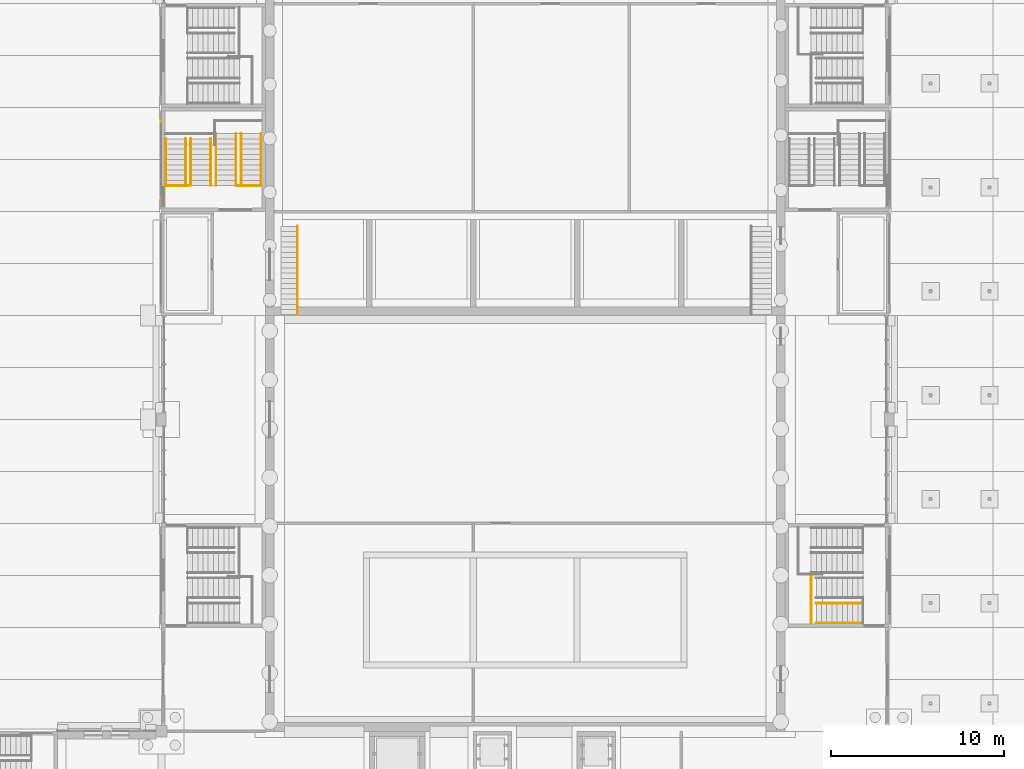
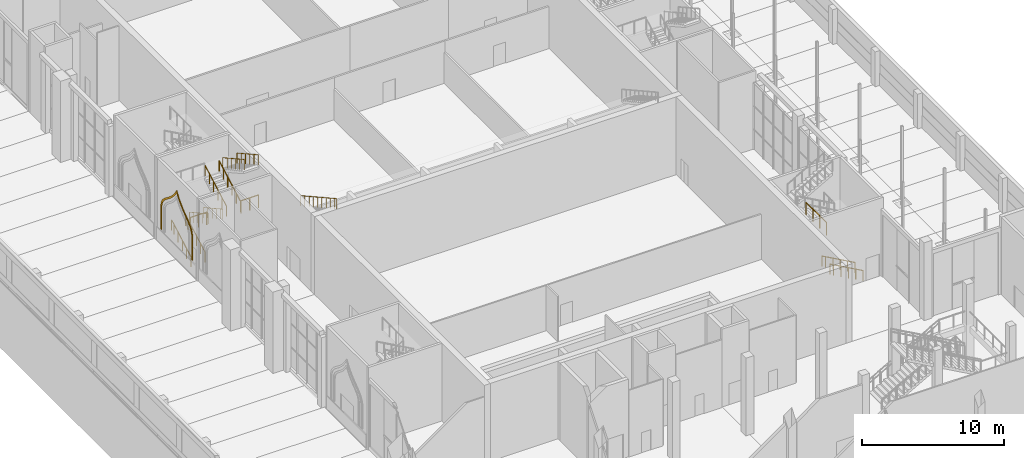
# One storey, part 68 of 95: 14 railings, 1 covering.
"""IFC4 building model written with IfcOpenShell, lengths in metres."""

from ifc_helpers import new_model, si_unit, direction, frame, origin, origin_2d, place, context, subcontext, project, spatial, polyline, circle, outline, extrude, material, layer, layer_set, type_object, element, save


model = new_model("IFC4")

# Units and contexts
model_context = context("Model", 3, precision=1e-05, world=origin(), true_north=direction((0.0, 1.0)))
body_context = subcontext(model_context, "Body", "Model", "MODEL_VIEW")
ifc_project = project(units=[si_unit("LENGTHUNIT", "METRE"), si_unit("AREAUNIT", "SQUARE_METRE"), si_unit("VOLUMEUNIT", "CUBIC_METRE"), si_unit("PLANEANGLEUNIT", "RADIAN"), si_unit("MASSUNIT", "GRAM", prefix="KILO")], contexts=[model_context])

# Site, building, storey
site_placement = place(None, origin())
site = spatial("IfcSite", under=ifc_project, at=site_placement, CompositionType="ELEMENT")
building_placement = place(site_placement, origin())
building = spatial("IfcBuilding", under=site, at=building_placement, Name="Saffron Lane Theatres", CompositionType="ELEMENT")
storey_placement = place(building_placement, origin())
storey = spatial("IfcBuildingStorey", under=building, at=storey_placement, Name="L00", CompositionType="ELEMENT", Elevation=0.0)

# Covering
ifc_material_1 = material(Name="Masonry sandstone", Category="masonry")
ifc_layer = layer(ifc_material_1, 0.050048828125)
ifc_layer_set = layer_set([ifc_layer], Name="Masonry sandstone")
covering_type = type_object("IfcCoveringType", Name="EX-ARCH FRAME RING SANDSTONE 50", PredefinedType="CLADDING", material=ifc_layer_set)
covering_placement = place(storey_placement, frame((12.0, 60.763916015625, 3.34912109375), z_axis=(1.0, 0.0, 0.0), x_axis=(0.0, -0.063067105822, -0.998009288616)))
element("IfcCovering", 1, at=covering_placement, inside=storey, type_object=covering_type, Name="Arch recess ring L00", PredefinedType="CLADDING", context=body_context, shape_type="SweptSolid", body=[
    extrude(outline(polyline([(0.0, 0.0), (0.22065410238359984, 0.0), (2.095819992321758, 0.11849717929764414), (2.08699737229349, 0.2581112716747965), (0.21572995613898713, 0.13986044825926805), (0.01120324984086172, 0.1401457024385599), (-0.16661464303161863, 0.166826152522514), (-0.32408683559152085, 0.21607490839936183), (-0.46710723024222456, 0.28825340008036515), (-0.6001051004476012, 0.3799015700062919), (-0.7281663985634338, 0.4902087668589081), (-0.8536968762192425, 0.6185337089889348), (-0.9827851974313513, 0.7605775943042785), (-1.1168470981407341, 0.9155170755147107), (-1.261591713839184, 1.080789727293752), (-1.418829706234838, 1.2540794801970379), (-1.5953961004210881, 1.4312849950160573), (-1.7941531627651468, 1.6112468863933098), (-2.017809187207904, 1.7903692228565102), (-2.272363155580528, 1.966805145670982), (-2.4713360494485013, 2.0843733579964816), (-2.288745821741221, 2.2260536522840537), (-2.0584271132717276, 2.4331300879366635), (-1.859098732187894, 2.6389820376094155), (-1.684576929746966, 2.8425325046992453), (-1.5317222892143505, 3.04055509155704), (-1.3975493662817773, 3.232259946648473), (-1.2747612185768877, 3.414438770837703), (-1.1612700340241646, 3.5850218505624816), (-1.0510895267644345, 3.7421858281426754), (-0.9427115774009303, 3.8852921231996427), (-0.8295548101530967, 4.010842590258168), (-0.7091518844208844, 4.118503892521613), (-0.5763552588779816, 4.208112062862301), (-0.42633533175207877, 4.2767921389410235), (-0.2532905840955898, 4.325644618415389), (-0.050426780001745275, 4.35167406227577), (1.8208406361527578, 4.469924885691299), (1.8120180161244899, 4.609538978068451), (-0.06314787381366846, 4.491041798770807), (-0.28204669053719406, 4.463265173062264), (-0.4748093632101681, 4.409007991296921), (-0.6452138889458251, 4.329988531727125), (-0.7951660141787333, 4.229266523603667), (-0.9280950019828605, 4.110783931167464), (-1.0496511001501079, 3.9749175816724094), (-1.1644664475692028, 3.825288798534778), (-1.2765780932074908, 3.6638441173757603), (-1.3909823072355991, 3.4922248302345396), (-1.5116545496503437, 3.3114028542863916), (-1.6450992100191186, 3.1236580619491425), (-1.7933887031748097, 2.9308165121735614), (-1.9622040713945823, 2.7337423414364994), (-2.1560542756261065, 2.5341076362624033), (-2.3787173129826167, 2.333630674903618), (-2.718645480099129, 2.068745156724768), (-2.3480768001444785, 1.8487579980615008), (-2.101948365016449, 1.6779053315271268), (-1.8845095850723483, 1.5042611719162358), (-1.6922288190810568, 1.330005714760139), (-1.5208434619770204, 1.1573653473180439), (-1.3648264439093958, 0.987912479227884), (-1.2223517059274132, 0.8237195253225451), (-1.0872535978015876, 0.667867014636728), (-0.9557106319614249, 0.5218195761099406), (-0.8229728941184138, 0.38783439148665516), (-0.6852804856725893, 0.26835070815229334), (-0.5384939794994548, 0.16754415025789063), (-0.37705551126290276, 0.08649981821842358), (-0.19805932413846122, 0.029560004583244877), (0.0, 0.0)])), origin(), (0.0, 0.0, -1.0), 0.050048828125),
])

# Railings
ifc_material_2 = material(Name="Steel Grade 350", Category="steel")
railing_type_1 = type_object("IfcRailingType", Name="VC-GUARD 1100", PredefinedType="GUARDRAIL", material=ifc_material_2)
railing_1_placement = place(storey_placement, frame((12.22998046875, 61.5, 3.333251953125)))
element("IfcRailing", 2, at=railing_1_placement, inside=storey, type_object=railing_type_1, Name="Auditorium West Front Stair landing guard 1S2w", PredefinedType="GUARDRAIL", context=body_context, shape_type="SweptSolid", body=[
    extrude(circle(Radius=0.02392578125, at=origin_2d()), frame((0.0, 0.0, 1.076171875), z_axis=(1.0, 0.0, 0.0), x_axis=(0.0, 1.0, 0.0)), (0.0, 0.0, 1.0), 1.320068359375),
    extrude(circle(Radius=0.02099609375, at=origin_2d()), origin(), (0.0, 0.0, 1.0), 1.052001953125),
    extrude(circle(Radius=0.02099609375, at=origin_2d()), frame((0.66015625, 0.0, 0.0)), (0.0, 0.0, 1.0), 1.052001953125),
    extrude(circle(Radius=0.02099609375, at=origin_2d()), frame((1.320068359375, 0.0, 0.0)), (0.0, 0.0, 1.0), 1.052001953125),
])
railing_2_placement = place(storey_placement, frame((16.35009765625, 61.5, 3.333251953125)))
element("IfcRailing", 3, at=railing_2_placement, inside=storey, type_object=railing_type_1, Name="Auditorium West Front Stair landing guard 1S2e", PredefinedType="GUARDRAIL", context=body_context, shape_type="SweptSolid", body=[
    extrude(circle(Radius=0.02392578125, at=origin_2d()), frame((0.0, 0.0, 1.076171875), z_axis=(1.0, 0.0, 0.0), x_axis=(0.0, 1.0, 0.0)), (0.0, 0.0, 1.0), 1.419921875),
    extrude(circle(Radius=0.02099609375, at=origin_2d()), origin(), (0.0, 0.0, 1.0), 1.052001953125),
    extrude(circle(Radius=0.02099609375, at=origin_2d()), frame((0.7099609375, 0.0, 0.0)), (0.0, 0.0, 1.0), 1.052001953125),
    extrude(circle(Radius=0.02099609375, at=origin_2d()), frame((1.419921875, 0.0, 0.0)), (0.0, 0.0, 1.0), 1.052001953125),
])
railing_3_placement = place(storey_placement, frame((49.5, 36.22998046875, 5.166748046875)))
element("IfcRailing", 4, at=railing_3_placement, inside=storey, type_object=railing_type_1, Name="Stage East Stair landing guard 1N2s", PredefinedType="GUARDRAIL", context=body_context, shape_type="SweptSolid", body=[
    extrude(circle(Radius=0.02392578125, at=origin_2d()), frame((0.0, 0.0, 1.076171875), z_axis=(0.0, 1.0, 0.0), x_axis=(-1.0, 0.0, 0.0)), (0.0, 0.0, 1.0), 2.8701171875),
    extrude(circle(Radius=0.02099609375, at=origin_2d()), origin(), (0.0, 0.0, 1.0), 1.052001953125),
    extrude(circle(Radius=0.02099609375, at=origin_2d()), frame((0.0, 0.956787109375, 0.0)), (0.0, 0.0, 1.0), 1.052001953125),
    extrude(circle(Radius=0.02099609375, at=origin_2d()), frame((0.0, 1.913330078125, 0.0)), (0.0, 0.0, 1.0), 1.052001953125),
    extrude(circle(Radius=0.02099609375, at=origin_2d()), frame((0.0, 2.8701171875, 0.0)), (0.0, 0.0, 1.0), 1.052001953125),
])
ifc_material_3 = material(Name="Steel Grade 350", Category="steel")
railing_type_2 = type_object("IfcRailingType", Name="VC-HANDRAIL 900", PredefinedType="HANDRAIL", material=ifc_material_3)
railing_4_placement = place(storey_placement, frame((12.25, 61.5, 0.166748046875)))
element("IfcRailing", 5, at=railing_4_placement, inside=storey, type_object=railing_type_2, Name="Auditorium West Front Stair handrail 1.1a", PredefinedType="HANDRAIL", context=body_context, shape_type="SweptSolid", body=[
    extrude(circle(Radius=0.02392578125, at=origin_2d()), frame((0.0, 0.0, 0.8759765625), z_axis=(0.0, 0.874241147926, 0.485491931212), x_axis=(-1.0, 0.0, 0.0)), (0.0, 0.0, 1.0), 0.6865234375),
    extrude(circle(Radius=0.02392578125, at=origin_2d()), frame((0.0, 0.60009765625, 1.208984375), z_axis=(0.0, 0.874157276122, 0.485642931179), x_axis=(-1.0, 0.0, 0.0)), (0.0, 0.0, 1.0), 0.686279296875),
    extrude(circle(Radius=0.02392578125, at=origin_2d()), frame((0.0, 1.199951171875, 1.54248046875), z_axis=(0.0, 0.874090171491, 0.485763699861), x_axis=(-1.0, 0.0, 0.0)), (0.0, 0.0, 1.0), 0.6865234375),
    extrude(circle(Radius=0.02392578125, at=origin_2d()), frame((0.0, 1.800048828125, 1.8759765625), z_axis=(0.0, 0.874157276122, 0.485642931179), x_axis=(-1.0, 0.0, 0.0)), (0.0, 0.0, 1.0), 0.686279296875),
    extrude(circle(Radius=0.02392578125, at=origin_2d()), frame((0.0, 2.39990234375, 2.208984375), z_axis=(0.0, 0.874090171491, 0.485763699861), x_axis=(-1.0, 0.0, 0.0)), (0.0, 0.0, 1.0), 0.34326171875),
    extrude(circle(Radius=0.02099609375, at=origin_2d()), origin(), (0.0, 0.0, 1.0), 0.851806640625),
    extrude(circle(Radius=0.02099609375, at=origin_2d()), frame((0.0, 0.60009765625, 0.333251953125)), (0.0, 0.0, 1.0), 0.851806640625),
    extrude(circle(Radius=0.02099609375, at=origin_2d()), frame((0.0, 1.199951171875, 0.66650390625)), (0.0, 0.0, 1.0), 0.851806640625),
    extrude(circle(Radius=0.02099609375, at=origin_2d()), frame((0.0, 1.800048828125, 1.0)), (0.0, 0.0, 1.0), 0.851806640625),
    extrude(circle(Radius=0.02099609375, at=origin_2d()), frame((0.0, 2.39990234375, 1.333251953125)), (0.0, 0.0, 1.0), 0.851806640625),
    extrude(circle(Radius=0.02099609375, at=origin_2d()), frame((0.0, 2.699951171875, 1.5)), (0.0, 0.0, 1.0), 0.851806640625),
])
railing_5_placement = place(storey_placement, frame((13.39990234375, 61.5, 0.166748046875)))
element("IfcRailing", 6, at=railing_5_placement, inside=storey, type_object=railing_type_2, Name="Auditorium West Front Stair handrail 1.1b", PredefinedType="HANDRAIL", context=body_context, shape_type="SweptSolid", body=[
    extrude(circle(Radius=0.02392578125, at=origin_2d()), frame((0.0, 0.0, 0.8759765625), z_axis=(0.0, 0.874241147926, 0.485491931212), x_axis=(-1.0, 0.0, 0.0)), (0.0, 0.0, 1.0), 0.6865234375),
    extrude(circle(Radius=0.02392578125, at=origin_2d()), frame((0.0, 0.60009765625, 1.208984375), z_axis=(0.0, 0.874157276122, 0.485642931179), x_axis=(-1.0, 0.0, 0.0)), (0.0, 0.0, 1.0), 0.686279296875),
    extrude(circle(Radius=0.02392578125, at=origin_2d()), frame((0.0, 1.199951171875, 1.54248046875), z_axis=(0.0, 0.874090171491, 0.485763699861), x_axis=(-1.0, 0.0, 0.0)), (0.0, 0.0, 1.0), 0.6865234375),
    extrude(circle(Radius=0.02392578125, at=origin_2d()), frame((0.0, 1.800048828125, 1.8759765625), z_axis=(0.0, 0.874157276122, 0.485642931179), x_axis=(-1.0, 0.0, 0.0)), (0.0, 0.0, 1.0), 0.686279296875),
    extrude(circle(Radius=0.02392578125, at=origin_2d()), frame((0.0, 2.39990234375, 2.208984375), z_axis=(0.0, 0.874090171491, 0.485763699861), x_axis=(-1.0, 0.0, 0.0)), (0.0, 0.0, 1.0), 0.34326171875),
    extrude(circle(Radius=0.02099609375, at=origin_2d()), origin(), (0.0, 0.0, 1.0), 0.851806640625),
    extrude(circle(Radius=0.02099609375, at=origin_2d()), frame((0.0, 0.60009765625, 0.333251953125)), (0.0, 0.0, 1.0), 0.851806640625),
    extrude(circle(Radius=0.02099609375, at=origin_2d()), frame((0.0, 1.199951171875, 0.66650390625)), (0.0, 0.0, 1.0), 0.851806640625),
    extrude(circle(Radius=0.02099609375, at=origin_2d()), frame((0.0, 1.800048828125, 1.0)), (0.0, 0.0, 1.0), 0.851806640625),
    extrude(circle(Radius=0.02099609375, at=origin_2d()), frame((0.0, 2.39990234375, 1.333251953125)), (0.0, 0.0, 1.0), 0.851806640625),
    extrude(circle(Radius=0.02099609375, at=origin_2d()), frame((0.0, 2.699951171875, 1.5)), (0.0, 0.0, 1.0), 0.851806640625),
])
railing_6_placement = place(storey_placement, frame((13.699951171875, 64.199951171875, 1.833251953125)))
element("IfcRailing", 7, at=railing_6_placement, inside=storey, type_object=railing_type_2, Name="Auditorium West Front Stair handrail 1.2a", PredefinedType="HANDRAIL", context=body_context, shape_type="SweptSolid", body=[
    extrude(circle(Radius=0.02392578125, at=origin_2d()), frame((0.0, 0.0, 0.8759765625), z_axis=(0.0, -0.874006220275, 0.485914732151), x_axis=(1.0, 0.0, 0.0)), (0.0, 0.0, 1.0), 0.686279296875),
    extrude(circle(Radius=0.02392578125, at=origin_2d()), frame((0.0, -0.599853515625, 1.20947265625), z_axis=(0.0, -0.874241147926, 0.485491931212), x_axis=(1.0, 0.0, 0.0)), (0.0, 0.0, 1.0), 0.6865234375),
    extrude(circle(Radius=0.02392578125, at=origin_2d()), frame((0.0, -1.199951171875, 1.54248046875), z_axis=(0.0, -0.874241147926, 0.485491931212), x_axis=(1.0, 0.0, 0.0)), (0.0, 0.0, 1.0), 0.6865234375),
    extrude(circle(Radius=0.02392578125, at=origin_2d()), frame((0.0, -1.800048828125, 1.8759765625), z_axis=(0.0, -0.874006220275, 0.485914732151), x_axis=(1.0, 0.0, 0.0)), (0.0, 0.0, 1.0), 0.686279296875),
    extrude(circle(Radius=0.02392578125, at=origin_2d()), frame((0.0, -2.39990234375, 2.20947265625), z_axis=(0.0, -0.87439209197, 0.485220021744), x_axis=(1.0, 0.0, 0.0)), (0.0, 0.0, 1.0), 0.34326171875),
    extrude(circle(Radius=0.02099609375, at=origin_2d()), origin(), (0.0, 0.0, 1.0), 0.851806640625),
    extrude(circle(Radius=0.02099609375, at=origin_2d()), frame((0.0, -0.599853515625, 0.33349609375)), (0.0, 0.0, 1.0), 0.851806640625),
    extrude(circle(Radius=0.02099609375, at=origin_2d()), frame((0.0, -1.199951171875, 0.666748046875)), (0.0, 0.0, 1.0), 0.851806640625),
    extrude(circle(Radius=0.02099609375, at=origin_2d()), frame((0.0, -1.800048828125, 1.0)), (0.0, 0.0, 1.0), 0.851806640625),
    extrude(circle(Radius=0.02099609375, at=origin_2d()), frame((0.0, -2.39990234375, 1.33349609375)), (0.0, 0.0, 1.0), 0.851806640625),
    extrude(circle(Radius=0.02099609375, at=origin_2d()), frame((0.0, -2.699951171875, 1.5)), (0.0, 0.0, 1.0), 0.851806640625),
])
railing_7_placement = place(storey_placement, frame((14.85009765625, 64.199951171875, 1.833251953125)))
element("IfcRailing", 8, at=railing_7_placement, inside=storey, type_object=railing_type_2, Name="Auditorium West Front Stair handrail 1.2b", PredefinedType="HANDRAIL", context=body_context, shape_type="SweptSolid", body=[
    extrude(circle(Radius=0.02392578125, at=origin_2d()), frame((0.0, 0.0, 0.8759765625), z_axis=(0.0, -0.874006220275, 0.485914732151), x_axis=(1.0, 0.0, 0.0)), (0.0, 0.0, 1.0), 0.686279296875),
    extrude(circle(Radius=0.02392578125, at=origin_2d()), frame((0.0, -0.599853515625, 1.20947265625), z_axis=(0.0, -0.874241147926, 0.485491931212), x_axis=(1.0, 0.0, 0.0)), (0.0, 0.0, 1.0), 0.6865234375),
    extrude(circle(Radius=0.02392578125, at=origin_2d()), frame((0.0, -1.199951171875, 1.54248046875), z_axis=(0.0, -0.874241147926, 0.485491931212), x_axis=(1.0, 0.0, 0.0)), (0.0, 0.0, 1.0), 0.6865234375),
    extrude(circle(Radius=0.02392578125, at=origin_2d()), frame((0.0, -1.800048828125, 1.8759765625), z_axis=(0.0, -0.874006220275, 0.485914732151), x_axis=(1.0, 0.0, 0.0)), (0.0, 0.0, 1.0), 0.686279296875),
    extrude(circle(Radius=0.02392578125, at=origin_2d()), frame((0.0, -2.39990234375, 2.20947265625), z_axis=(0.0, -0.87439209197, 0.485220021744), x_axis=(1.0, 0.0, 0.0)), (0.0, 0.0, 1.0), 0.34326171875),
    extrude(circle(Radius=0.02099609375, at=origin_2d()), origin(), (0.0, 0.0, 1.0), 0.851806640625),
    extrude(circle(Radius=0.02099609375, at=origin_2d()), frame((0.0, -0.599853515625, 0.33349609375)), (0.0, 0.0, 1.0), 0.851806640625),
    extrude(circle(Radius=0.02099609375, at=origin_2d()), frame((0.0, -1.199951171875, 0.666748046875)), (0.0, 0.0, 1.0), 0.851806640625),
    extrude(circle(Radius=0.02099609375, at=origin_2d()), frame((0.0, -1.800048828125, 1.0)), (0.0, 0.0, 1.0), 0.851806640625),
    extrude(circle(Radius=0.02099609375, at=origin_2d()), frame((0.0, -2.39990234375, 1.33349609375)), (0.0, 0.0, 1.0), 0.851806640625),
    extrude(circle(Radius=0.02099609375, at=origin_2d()), frame((0.0, -2.699951171875, 1.5)), (0.0, 0.0, 1.0), 0.851806640625),
])
railing_8_placement = place(storey_placement, frame((15.14990234375, 61.5, 3.5)))
element("IfcRailing", 9, at=railing_8_placement, inside=storey, type_object=railing_type_2, Name="Auditorium West Front Stair handrail 1.3a", PredefinedType="HANDRAIL", context=body_context, shape_type="SweptSolid", body=[
    extrude(circle(Radius=0.02392578125, at=origin_2d()), frame((0.0, 0.0, 0.8759765625), z_axis=(0.0, 0.874241147926, 0.485491931212), x_axis=(-1.0, 0.0, 0.0)), (0.0, 0.0, 1.0), 0.6865234375),
    extrude(circle(Radius=0.02392578125, at=origin_2d()), frame((0.0, 0.60009765625, 1.208984375), z_axis=(0.0, 0.874006220275, 0.485914732151), x_axis=(-1.0, 0.0, 0.0)), (0.0, 0.0, 1.0), 0.686279296875),
    extrude(circle(Radius=0.02392578125, at=origin_2d()), frame((0.0, 1.199951171875, 1.54248046875), z_axis=(0.0, 0.874241147926, 0.485491931212), x_axis=(-1.0, 0.0, 0.0)), (0.0, 0.0, 1.0), 0.6865234375),
    extrude(circle(Radius=0.02392578125, at=origin_2d()), frame((0.0, 1.800048828125, 1.8759765625), z_axis=(0.0, 0.874157276122, 0.485642931179), x_axis=(-1.0, 0.0, 0.0)), (0.0, 0.0, 1.0), 0.686279296875),
    extrude(circle(Radius=0.02392578125, at=origin_2d()), frame((0.0, 2.39990234375, 2.208984375), z_axis=(0.0, 0.874090171491, 0.485763699861), x_axis=(-1.0, 0.0, 0.0)), (0.0, 0.0, 1.0), 0.6865234375),
    extrude(circle(Radius=0.02099609375, at=origin_2d()), origin(), (0.0, 0.0, 1.0), 0.851806640625),
    extrude(circle(Radius=0.02099609375, at=origin_2d()), frame((0.0, 0.60009765625, 0.333251953125)), (0.0, 0.0, 1.0), 0.851806640625),
    extrude(circle(Radius=0.02099609375, at=origin_2d()), frame((0.0, 1.199951171875, 0.666748046875)), (0.0, 0.0, 1.0), 0.851806640625),
    extrude(circle(Radius=0.02099609375, at=origin_2d()), frame((0.0, 1.800048828125, 1.0)), (0.0, 0.0, 1.0), 0.851806640625),
    extrude(circle(Radius=0.02099609375, at=origin_2d()), frame((0.0, 2.39990234375, 1.333251953125)), (0.0, 0.0, 1.0), 0.851806640625),
    extrude(circle(Radius=0.02099609375, at=origin_2d()), frame((0.0, 3.0, 1.666748046875)), (0.0, 0.0, 1.0), 0.851806640625),
])
railing_9_placement = place(storey_placement, frame((16.300048828125, 61.5, 3.5)))
element("IfcRailing", 10, at=railing_9_placement, inside=storey, type_object=railing_type_2, Name="Auditorium West Front Stair handrail 1.3b", PredefinedType="HANDRAIL", context=body_context, shape_type="SweptSolid", body=[
    extrude(circle(Radius=0.02392578125, at=origin_2d()), frame((0.0, 0.0, 0.8759765625), z_axis=(0.0, 0.874241147926, 0.485491931212), x_axis=(-1.0, 0.0, 0.0)), (0.0, 0.0, 1.0), 0.6865234375),
    extrude(circle(Radius=0.02392578125, at=origin_2d()), frame((0.0, 0.60009765625, 1.208984375), z_axis=(0.0, 0.874006220275, 0.485914732151), x_axis=(-1.0, 0.0, 0.0)), (0.0, 0.0, 1.0), 0.686279296875),
    extrude(circle(Radius=0.02392578125, at=origin_2d()), frame((0.0, 1.199951171875, 1.54248046875), z_axis=(0.0, 0.874241147926, 0.485491931212), x_axis=(-1.0, 0.0, 0.0)), (0.0, 0.0, 1.0), 0.6865234375),
    extrude(circle(Radius=0.02392578125, at=origin_2d()), frame((0.0, 1.800048828125, 1.8759765625), z_axis=(0.0, 0.874157276122, 0.485642931179), x_axis=(-1.0, 0.0, 0.0)), (0.0, 0.0, 1.0), 0.686279296875),
    extrude(circle(Radius=0.02392578125, at=origin_2d()), frame((0.0, 2.39990234375, 2.208984375), z_axis=(0.0, 0.874090171491, 0.485763699861), x_axis=(-1.0, 0.0, 0.0)), (0.0, 0.0, 1.0), 0.6865234375),
    extrude(circle(Radius=0.02099609375, at=origin_2d()), origin(), (0.0, 0.0, 1.0), 0.851806640625),
    extrude(circle(Radius=0.02099609375, at=origin_2d()), frame((0.0, 0.60009765625, 0.333251953125)), (0.0, 0.0, 1.0), 0.851806640625),
    extrude(circle(Radius=0.02099609375, at=origin_2d()), frame((0.0, 1.199951171875, 0.666748046875)), (0.0, 0.0, 1.0), 0.851806640625),
    extrude(circle(Radius=0.02099609375, at=origin_2d()), frame((0.0, 1.800048828125, 1.0)), (0.0, 0.0, 1.0), 0.851806640625),
    extrude(circle(Radius=0.02099609375, at=origin_2d()), frame((0.0, 2.39990234375, 1.333251953125)), (0.0, 0.0, 1.0), 0.851806640625),
    extrude(circle(Radius=0.02099609375, at=origin_2d()), frame((0.0, 3.0, 1.666748046875)), (0.0, 0.0, 1.0), 0.851806640625),
])
railing_10_placement = place(storey_placement, frame((16.60009765625, 64.5, 5.333251953125)))
element("IfcRailing", 11, at=railing_10_placement, inside=storey, type_object=railing_type_2, Name="Auditorium West Front Stair handrail 1.4a", PredefinedType="HANDRAIL", context=body_context, shape_type="SweptSolid", body=[
    extrude(circle(Radius=0.02392578125, at=origin_2d()), frame((0.0, 0.0, 0.8759765625), z_axis=(0.0, -0.874090171491, 0.485763699861), x_axis=(1.0, 0.0, 0.0)), (0.0, 0.0, 1.0), 0.6865234375),
    extrude(circle(Radius=0.02392578125, at=origin_2d()), frame((0.0, -0.60009765625, 1.20947265625), z_axis=(0.0, -0.874157276122, 0.485642931179), x_axis=(1.0, 0.0, 0.0)), (0.0, 0.0, 1.0), 0.686279296875),
    extrude(circle(Radius=0.02392578125, at=origin_2d()), frame((0.0, -1.199951171875, 1.54248046875), z_axis=(0.0, -0.874241147926, 0.485491931212), x_axis=(1.0, 0.0, 0.0)), (0.0, 0.0, 1.0), 0.6865234375),
    extrude(circle(Radius=0.02392578125, at=origin_2d()), frame((0.0, -1.800048828125, 1.8759765625), z_axis=(0.0, -0.874006220275, 0.485914732151), x_axis=(1.0, 0.0, 0.0)), (0.0, 0.0, 1.0), 0.686279296875),
    extrude(circle(Radius=0.02392578125, at=origin_2d()), frame((0.0, -2.39990234375, 2.20947265625), z_axis=(0.0, -0.874241147926, 0.485491931212), x_axis=(1.0, 0.0, 0.0)), (0.0, 0.0, 1.0), 0.6865234375),
    extrude(circle(Radius=0.02099609375, at=origin_2d()), origin(), (0.0, 0.0, 1.0), 0.851806640625),
    extrude(circle(Radius=0.02099609375, at=origin_2d()), frame((0.0, -0.60009765625, 0.33349609375)), (0.0, 0.0, 1.0), 0.851806640625),
    extrude(circle(Radius=0.02099609375, at=origin_2d()), frame((0.0, -1.199951171875, 0.666748046875)), (0.0, 0.0, 1.0), 0.851806640625),
    extrude(circle(Radius=0.02099609375, at=origin_2d()), frame((0.0, -1.800048828125, 1.0)), (0.0, 0.0, 1.0), 0.851806640625),
    extrude(circle(Radius=0.02099609375, at=origin_2d()), frame((0.0, -2.39990234375, 1.33349609375)), (0.0, 0.0, 1.0), 0.851806640625),
    extrude(circle(Radius=0.02099609375, at=origin_2d()), frame((0.0, -3.0, 1.666748046875)), (0.0, 0.0, 1.0), 0.851806640625),
])
railing_11_placement = place(storey_placement, frame((17.75, 64.5, 5.333251953125)))
element("IfcRailing", 12, at=railing_11_placement, inside=storey, type_object=railing_type_2, Name="Auditorium West Front Stair handrail 1.4b", PredefinedType="HANDRAIL", context=body_context, shape_type="SweptSolid", body=[
    extrude(circle(Radius=0.02392578125, at=origin_2d()), frame((0.0, 0.0, 0.8759765625), z_axis=(0.0, -0.874090171491, 0.485763699861), x_axis=(1.0, 0.0, 0.0)), (0.0, 0.0, 1.0), 0.6865234375),
    extrude(circle(Radius=0.02392578125, at=origin_2d()), frame((0.0, -0.60009765625, 1.20947265625), z_axis=(0.0, -0.874157276122, 0.485642931179), x_axis=(1.0, 0.0, 0.0)), (0.0, 0.0, 1.0), 0.686279296875),
    extrude(circle(Radius=0.02392578125, at=origin_2d()), frame((0.0, -1.199951171875, 1.54248046875), z_axis=(0.0, -0.874241147926, 0.485491931212), x_axis=(1.0, 0.0, 0.0)), (0.0, 0.0, 1.0), 0.6865234375),
    extrude(circle(Radius=0.02392578125, at=origin_2d()), frame((0.0, -1.800048828125, 1.8759765625), z_axis=(0.0, -0.874006220275, 0.485914732151), x_axis=(1.0, 0.0, 0.0)), (0.0, 0.0, 1.0), 0.686279296875),
    extrude(circle(Radius=0.02392578125, at=origin_2d()), frame((0.0, -2.39990234375, 2.20947265625), z_axis=(0.0, -0.874241147926, 0.485491931212), x_axis=(1.0, 0.0, 0.0)), (0.0, 0.0, 1.0), 0.6865234375),
    extrude(circle(Radius=0.02099609375, at=origin_2d()), origin(), (0.0, 0.0, 1.0), 0.851806640625),
    extrude(circle(Radius=0.02099609375, at=origin_2d()), frame((0.0, -0.60009765625, 0.33349609375)), (0.0, 0.0, 1.0), 0.851806640625),
    extrude(circle(Radius=0.02099609375, at=origin_2d()), frame((0.0, -1.199951171875, 0.666748046875)), (0.0, 0.0, 1.0), 0.851806640625),
    extrude(circle(Radius=0.02099609375, at=origin_2d()), frame((0.0, -1.800048828125, 1.0)), (0.0, 0.0, 1.0), 0.851806640625),
    extrude(circle(Radius=0.02099609375, at=origin_2d()), frame((0.0, -2.39990234375, 1.33349609375)), (0.0, 0.0, 1.0), 0.851806640625),
    extrude(circle(Radius=0.02099609375, at=origin_2d()), frame((0.0, -3.0, 1.666748046875)), (0.0, 0.0, 1.0), 0.851806640625),
])
railing_12_placement = place(storey_placement, frame((52.5, 36.25, 0.166748046875)))
element("IfcRailing", 13, at=railing_12_placement, inside=storey, type_object=railing_type_2, Name="Stage East Stair handrail 1.1a", PredefinedType="HANDRAIL", context=body_context, shape_type="SweptSolid", body=[
    extrude(circle(Radius=0.02392578125, at=origin_2d()), frame((0.0, 0.0, 0.8759765625), z_axis=(-0.874241147926, 0.0, 0.485491931212), x_axis=(0.0, -1.0, 0.0)), (0.0, 0.0, 1.0), 0.6865234375),
    extrude(circle(Radius=0.02392578125, at=origin_2d()), frame((-0.60009765625, 0.0, 1.208984375), z_axis=(-0.874157276122, 0.0, 0.485642931179), x_axis=(0.0, -1.0, 0.0)), (0.0, 0.0, 1.0), 0.686279296875),
    extrude(circle(Radius=0.02392578125, at=origin_2d()), frame((-1.199951171875, 0.0, 1.54248046875), z_axis=(-0.874090171491, 0.0, 0.485763699861), x_axis=(0.0, -1.0, 0.0)), (0.0, 0.0, 1.0), 0.6865234375),
    extrude(circle(Radius=0.02392578125, at=origin_2d()), frame((-1.800048828125, 0.0, 1.8759765625), z_axis=(-0.874157276122, 0.0, 0.485642931179), x_axis=(0.0, -1.0, 0.0)), (0.0, 0.0, 1.0), 0.686279296875),
    extrude(circle(Radius=0.02392578125, at=origin_2d()), frame((-2.39990234375, 0.0, 2.208984375), z_axis=(-0.874090171491, 0.0, 0.485763699861), x_axis=(0.0, -1.0, 0.0)), (0.0, 0.0, 1.0), 0.34326171875),
    extrude(circle(Radius=0.02099609375, at=origin_2d()), origin(), (0.0, 0.0, 1.0), 0.851806640625),
    extrude(circle(Radius=0.02099609375, at=origin_2d()), frame((-0.60009765625, 0.0, 0.333251953125)), (0.0, 0.0, 1.0), 0.851806640625),
    extrude(circle(Radius=0.02099609375, at=origin_2d()), frame((-1.199951171875, 0.0, 0.66650390625)), (0.0, 0.0, 1.0), 0.851806640625),
    extrude(circle(Radius=0.02099609375, at=origin_2d()), frame((-1.800048828125, 0.0, 1.0)), (0.0, 0.0, 1.0), 0.851806640625),
    extrude(circle(Radius=0.02099609375, at=origin_2d()), frame((-2.39990234375, 0.0, 1.333251953125)), (0.0, 0.0, 1.0), 0.851806640625),
    extrude(circle(Radius=0.02099609375, at=origin_2d()), frame((-2.699951171875, 0.0, 1.5)), (0.0, 0.0, 1.0), 0.851806640625),
])
railing_13_placement = place(storey_placement, frame((52.5, 37.39990234375, 0.166748046875)))
element("IfcRailing", 14, at=railing_13_placement, inside=storey, type_object=railing_type_2, Name="Stage East Stair handrail 1.1b", PredefinedType="HANDRAIL", context=body_context, shape_type="SweptSolid", body=[
    extrude(circle(Radius=0.02392578125, at=origin_2d()), frame((0.0, 0.0, 0.8759765625), z_axis=(-0.874241147926, 0.0, 0.485491931212), x_axis=(0.0, -1.0, 0.0)), (0.0, 0.0, 1.0), 0.6865234375),
    extrude(circle(Radius=0.02392578125, at=origin_2d()), frame((-0.60009765625, 0.0, 1.208984375), z_axis=(-0.874157276122, 0.0, 0.485642931179), x_axis=(0.0, -1.0, 0.0)), (0.0, 0.0, 1.0), 0.686279296875),
    extrude(circle(Radius=0.02392578125, at=origin_2d()), frame((-1.199951171875, 0.0, 1.54248046875), z_axis=(-0.874090171491, 0.0, 0.485763699861), x_axis=(0.0, -1.0, 0.0)), (0.0, 0.0, 1.0), 0.6865234375),
    extrude(circle(Radius=0.02392578125, at=origin_2d()), frame((-1.800048828125, 0.0, 1.8759765625), z_axis=(-0.874157276122, 0.0, 0.485642931179), x_axis=(0.0, -1.0, 0.0)), (0.0, 0.0, 1.0), 0.686279296875),
    extrude(circle(Radius=0.02392578125, at=origin_2d()), frame((-2.39990234375, 0.0, 2.208984375), z_axis=(-0.874090171491, 0.0, 0.485763699861), x_axis=(0.0, -1.0, 0.0)), (0.0, 0.0, 1.0), 0.34326171875),
    extrude(circle(Radius=0.02099609375, at=origin_2d()), origin(), (0.0, 0.0, 1.0), 0.851806640625),
    extrude(circle(Radius=0.02099609375, at=origin_2d()), frame((-0.60009765625, 0.0, 0.333251953125)), (0.0, 0.0, 1.0), 0.851806640625),
    extrude(circle(Radius=0.02099609375, at=origin_2d()), frame((-1.199951171875, 0.0, 0.66650390625)), (0.0, 0.0, 1.0), 0.851806640625),
    extrude(circle(Radius=0.02099609375, at=origin_2d()), frame((-1.800048828125, 0.0, 1.0)), (0.0, 0.0, 1.0), 0.851806640625),
    extrude(circle(Radius=0.02099609375, at=origin_2d()), frame((-2.39990234375, 0.0, 1.333251953125)), (0.0, 0.0, 1.0), 0.851806640625),
    extrude(circle(Radius=0.02099609375, at=origin_2d()), frame((-2.699951171875, 0.0, 1.5)), (0.0, 0.0, 1.0), 0.851806640625),
])
railing_14_placement = place(storey_placement, frame((19.85009765625, 59.14990234375, 4.166748046875)))
element("IfcRailing", 15, at=railing_14_placement, inside=storey, type_object=railing_type_2, Name="Orchestra pit stair 1 handrail", PredefinedType="HANDRAIL", context=body_context, shape_type="SweptSolid", body=[
    extrude(circle(Radius=0.02392578125, at=origin_2d()), frame((0.0, 0.0, 0.8759765625), z_axis=(0.0, -0.874157276122, 0.485642931179), x_axis=(1.0, 0.0, 0.0)), (0.0, 0.0, 1.0), 0.686279296875),
    extrude(circle(Radius=0.02392578125, at=origin_2d()), frame((0.0, -0.599853515625, 1.208984375), z_axis=(0.0, -0.874241147926, 0.485491931212), x_axis=(1.0, 0.0, 0.0)), (0.0, 0.0, 1.0), 0.6865234375),
    extrude(circle(Radius=0.02392578125, at=origin_2d()), frame((0.0, -1.199951171875, 1.54248046875), z_axis=(0.0, -0.874006220275, 0.485914732151), x_axis=(1.0, 0.0, 0.0)), (0.0, 0.0, 1.0), 0.686279296875),
    extrude(circle(Radius=0.02392578125, at=origin_2d()), frame((0.0, -1.7998046875, 1.8759765625), z_axis=(0.0, -0.874241147926, 0.485491931212), x_axis=(1.0, 0.0, 0.0)), (0.0, 0.0, 1.0), 0.6865234375),
    extrude(circle(Radius=0.02392578125, at=origin_2d()), frame((0.0, -2.39990234375, 2.208984375), z_axis=(0.0, -0.874241147926, 0.485491931212), x_axis=(1.0, 0.0, 0.0)), (0.0, 0.0, 1.0), 0.6865234375),
    extrude(circle(Radius=0.02392578125, at=origin_2d()), frame((0.0, -3.0, 2.54248046875), z_axis=(0.0, -0.874006220275, 0.485914732151), x_axis=(1.0, 0.0, 0.0)), (0.0, 0.0, 1.0), 0.686279296875),
    extrude(circle(Radius=0.02392578125, at=origin_2d()), frame((0.0, -3.599853515625, 2.8759765625), z_axis=(0.0, -0.874241147926, 0.485491931212), x_axis=(1.0, 0.0, 0.0)), (0.0, 0.0, 1.0), 0.6865234375),
    extrude(circle(Radius=0.02392578125, at=origin_2d()), frame((0.0, -4.199951171875, 3.208984375), z_axis=(0.0, -0.874157276122, 0.485642931179), x_axis=(1.0, 0.0, 0.0)), (0.0, 0.0, 1.0), 0.686279296875),
    extrude(circle(Radius=0.02392578125, at=origin_2d()), frame((0.0, -4.7998046875, 3.54248046875), z_axis=(0.0, -0.874090171491, 0.485763699861), x_axis=(1.0, 0.0, 0.0)), (0.0, 0.0, 1.0), 0.34326171875),
    extrude(circle(Radius=0.02099609375, at=origin_2d()), origin(), (0.0, 0.0, 1.0), 0.851806640625),
    extrude(circle(Radius=0.02099609375, at=origin_2d()), frame((0.0, -0.599853515625, 0.333251953125)), (0.0, 0.0, 1.0), 0.851806640625),
    extrude(circle(Radius=0.02099609375, at=origin_2d()), frame((0.0, -1.199951171875, 0.66650390625)), (0.0, 0.0, 1.0), 0.851806640625),
    extrude(circle(Radius=0.02099609375, at=origin_2d()), frame((0.0, -1.7998046875, 1.0)), (0.0, 0.0, 1.0), 0.851806640625),
    extrude(circle(Radius=0.02099609375, at=origin_2d()), frame((0.0, -2.39990234375, 1.333251953125)), (0.0, 0.0, 1.0), 0.851806640625),
    extrude(circle(Radius=0.02099609375, at=origin_2d()), frame((0.0, -3.0, 1.66650390625)), (0.0, 0.0, 1.0), 0.851806640625),
    extrude(circle(Radius=0.02099609375, at=origin_2d()), frame((0.0, -3.599853515625, 2.0)), (0.0, 0.0, 1.0), 0.851806640625),
    extrude(circle(Radius=0.02099609375, at=origin_2d()), frame((0.0, -4.199951171875, 2.333251953125)), (0.0, 0.0, 1.0), 0.851806640625),
    extrude(circle(Radius=0.02099609375, at=origin_2d()), frame((0.0, -4.7998046875, 2.66650390625)), (0.0, 0.0, 1.0), 0.851806640625),
    extrude(circle(Radius=0.02099609375, at=origin_2d()), frame((0.0, -5.099853515625, 2.833251953125)), (0.0, 0.0, 1.0), 0.851806640625),
])

save(model, "model.ifc")
